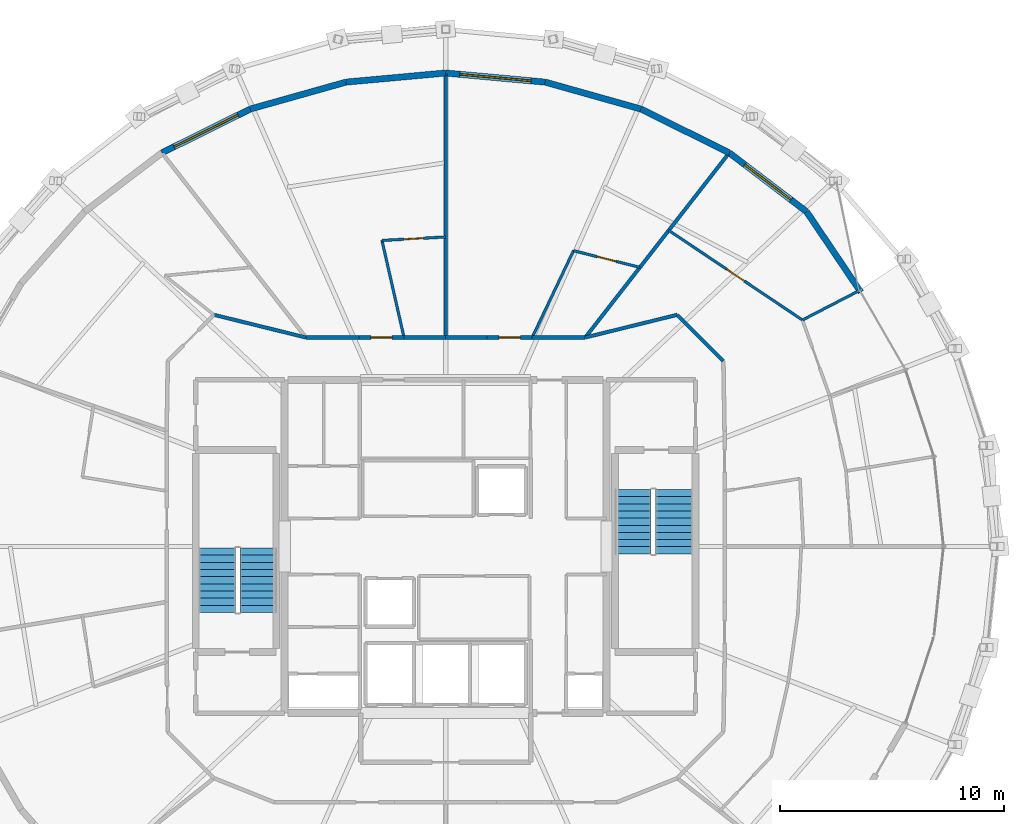
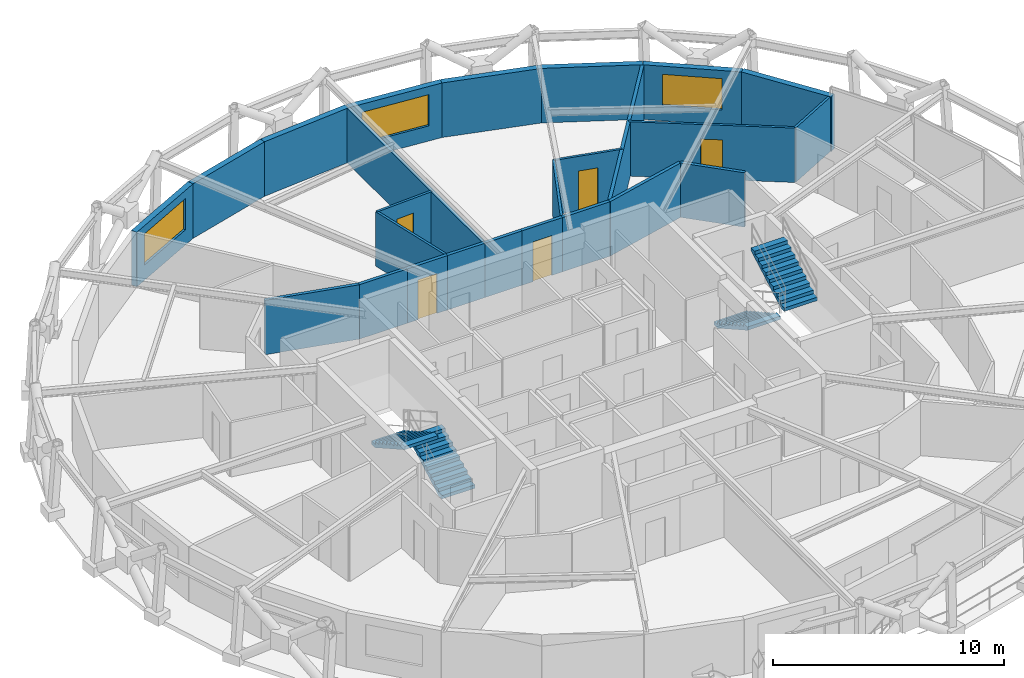
# One storey, part 16 of 17: 25 walls, 5 doors, 4 stair flights, 3 windows, 8 openings, 2 elements without a shape of their own.
"""IFC4 building model written with IfcOpenShell, lengths in metres."""

from ifc_helpers import new_model, si_unit, direction, frame, frame_2d, origin, place, context, subcontext, project, spatial, polyline, rectangle, outline, extrude, material, layer, layer_set, type_object, element, fill, aggregate, save


model = new_model("IFC4")

# Units and contexts
model_context = context("Model", 3, precision=1e-05, world=origin(), true_north=direction((0.0, 1.0)))
body_context = subcontext(model_context, "Body", "Model", "MODEL_VIEW")
ifc_project = project(units=[si_unit("LENGTHUNIT", "METRE"), si_unit("AREAUNIT", "SQUARE_METRE"), si_unit("VOLUMEUNIT", "CUBIC_METRE"), si_unit("PLANEANGLEUNIT", "RADIAN"), si_unit("MASSUNIT", "GRAM", prefix="KILO")], contexts=[model_context])

# Site, building, storey
site_placement = place(None, origin())
site = spatial("IfcSite", under=ifc_project, at=site_placement, CompositionType="ELEMENT")
building_placement = place(site_placement, origin())
building = spatial("IfcBuilding", under=site, at=building_placement, Name="Veldorina Hangang Commons", CompositionType="ELEMENT")
storey_placement = place(building_placement, frame((0.0, 0.0, 225.60009765625)))
storey = spatial("IfcBuildingStorey", under=building, at=storey_placement, Name="L58", CompositionType="ELEMENT", Elevation=225.60009765625)

# Wall
ifc_material_1 = material(Name="Stone Roman Travertine", Category="masonry")
ifc_layer_1 = layer(ifc_material_1, 0.280029296875)
ifc_layer_set_1 = layer_set([ifc_layer_1], Name="Stone Roman Travertine")
wall_type_1 = type_object("IfcWallType", Name="EW-TRAV-280", PredefinedType="STANDARD", material=ifc_layer_set_1)
wall_1_placement = place(storey_placement, frame((50.576904296875, 35.380859375, 0.0), z_axis=(0.0, 0.0, 1.0), x_axis=(-0.559158756737, 0.829060603795, 0.0)))
element("IfcWall", 1, at=wall_1_placement, inside=storey, type_object=wall_type_1, Name="L58 travertine facade wall 03", PredefinedType="STANDARD", context=body_context, shape_type="SweptSolid", body=[
    extrude(rectangle(XDim=4.339111328125, YDim=0.280029296875, at=frame_2d((2.16943359375, 0.0))), origin(), (0.0, 0.0, 1.0), 2.8798828125),
])

# Wall, opening, window
wall_2_placement = place(storey_placement, frame((48.150634765625, 38.978271484375, 0.0), z_axis=(0.0, 0.0, 1.0), x_axis=(-0.795722836513, 0.605660934394, 0.0)))
wall_2 = element("IfcWall", 2, at=wall_2_placement, inside=storey, type_object=wall_type_1, Name="L58 travertine facade wall 04", PredefinedType="STANDARD", context=body_context, shape_type="SweptSolid", body=[
    extrude(rectangle(XDim=4.349365234375, YDim=0.280029296875, at=frame_2d((2.1748046875, 0.0))), origin(), (0.0, 0.0, 1.0), 2.8798828125),
])
opening_1_placement = place(wall_2_placement, frame((0.874755859375, 0.0, 0.800048828125)))
opening_1 = element("IfcOpeningElement", 3, at=opening_1_placement, cuts=wall_2, Name="Opening W-02", PredefinedType="OPENING", context=body_context, shape_type="SweptSolid", body=[
    extrude(rectangle(XDim=2.60009765625, YDim=1.64990234375, at=frame_2d((1.300048828125, 0.824951171875))), frame((0.0, 0.14990234375, 0.0), z_axis=(0.0, -1.0, 0.0), x_axis=(1.0, 0.0, 0.0)), (0.0, 0.0, 1.0), 0.300048828125),
])
ifc_material_2 = material(Name="Glass Low-E Triple IGU", Category="glass")
window_type_1 = type_object("IfcWindowType", Name="WIN-TWR-2600", PartitioningType="SINGLE_PANEL", PredefinedType="WINDOW", material=ifc_material_2)
window_1_placement = place(opening_1_placement, origin())
window_1 = element("IfcWindow", 4, at=window_1_placement, inside=storey, type_object=window_type_1, Name="L58 facade window 04", OverallHeight=1.64990234375, OverallWidth=2.60009765625, PartitioningType="SINGLE_PANEL", PredefinedType="WINDOW", context=body_context, shape_type="SweptSolid", body=[
    extrude(rectangle(XDim=2.60009765625, YDim=1.64990234375, at=frame_2d((1.300048828125, 0.824951171875))), frame((0.0, 0.030029296875, 0.0), z_axis=(0.0, -1.0, 0.0), x_axis=(1.0, 0.0, 0.0)), (0.0, 0.0, 1.0), 0.06005859375),
])
fill(opening_1, window_1)

# Walls
wall_3_placement = place(storey_placement, frame((44.689697265625, 41.612548828125, 0.0), z_axis=(0.0, 0.0, 1.0), x_axis=(-0.89596177971, 0.44413116227, 0.0)))
element("IfcWall", 5, at=wall_3_placement, inside=storey, type_object=wall_type_1, Name="L58 travertine facade wall 05", PredefinedType="STANDARD", context=body_context, shape_type="SweptSolid", body=[
    extrude(rectangle(XDim=4.407470703125, YDim=0.280029296875, at=frame_2d((2.20361328125, 0.0))), origin(), (0.0, 0.0, 1.0), 2.8798828125),
])
wall_4_placement = place(storey_placement, frame((40.74072265625, 43.570068359375, 0.0), z_axis=(0.0, 0.0, 1.0), x_axis=(-0.96263574912, 0.27079958367, 0.0)))
element("IfcWall", 6, at=wall_4_placement, inside=storey, type_object=wall_type_1, Name="L58 travertine facade wall 06", PredefinedType="STANDARD", context=body_context, shape_type="SweptSolid", body=[
    extrude(rectangle(XDim=4.450927734375, YDim=0.280029296875, at=frame_2d((2.2255859375, 0.0))), origin(), (0.0, 0.0, 1.0), 2.8798828125),
])

# Wall, opening, window
wall_5_placement = place(storey_placement, frame((36.4560546875, 44.775390625, 0.0), z_axis=(0.0, 0.0, 1.0), x_axis=(-0.995855104574, 0.090953893235, 0.0)))
wall_5 = element("IfcWall", 7, at=wall_5_placement, inside=storey, type_object=wall_type_1, Name="L58 travertine facade wall 07", PredefinedType="STANDARD", context=body_context, shape_type="SweptSolid", body=[
    extrude(rectangle(XDim=4.474609375, YDim=0.280029296875, at=frame_2d((2.2373046875, 0.0))), origin(), (0.0, 0.0, 1.0), 2.8798828125),
])
opening_2_placement = place(wall_5_placement, frame((0.63720703125, 0.0, 0.800048828125)))
opening_2 = element("IfcOpeningElement", 8, at=opening_2_placement, cuts=wall_5, Name="Opening W-01", PredefinedType="OPENING", context=body_context, shape_type="SweptSolid", body=[
    extrude(rectangle(XDim=3.199951171875, YDim=1.64990234375, at=frame_2d((1.60009765625, 0.824951171875))), frame((0.0, 0.14990234375, 0.0), z_axis=(0.0, -1.0, 0.0), x_axis=(1.0, 0.0, 0.0)), (0.0, 0.0, 1.0), 0.300048828125),
])
window_type_2 = type_object("IfcWindowType", Name="WIN-TWR-3200", PartitioningType="SINGLE_PANEL", PredefinedType="WINDOW", material=ifc_material_2)
window_2_placement = place(opening_2_placement, origin())
window_2 = element("IfcWindow", 9, at=window_2_placement, inside=storey, type_object=window_type_2, Name="L58 facade window 07", OverallHeight=1.64990234375, OverallWidth=3.199951171875, PartitioningType="SINGLE_PANEL", PredefinedType="WINDOW", context=body_context, shape_type="SweptSolid", body=[
    extrude(rectangle(XDim=3.199951171875, YDim=1.64990234375, at=frame_2d((1.60009765625, 0.824951171875))), frame((0.0, 0.030029296875, 0.0), z_axis=(0.0, -1.0, 0.0), x_axis=(1.0, 0.0, 0.0)), (0.0, 0.0, 1.0), 0.06005859375),
])
fill(opening_2, window_2)

# Walls
wall_6_placement = place(storey_placement, frame((32.0, 45.182373046875, 0.0), z_axis=(0.0, 0.0, 1.0), x_axis=(-0.995855104574, -0.090953893235, 0.0)))
element("IfcWall", 10, at=wall_6_placement, inside=storey, type_object=wall_type_1, Name="L58 travertine facade wall 08", PredefinedType="STANDARD", context=body_context, shape_type="SweptSolid", body=[
    extrude(rectangle(XDim=4.474609375, YDim=0.280029296875, at=frame_2d((2.2373046875, 0.0))), origin(), (0.0, 0.0, 1.0), 2.8798828125),
])
wall_7_placement = place(storey_placement, frame((27.5439453125, 44.775390625, 0.0), z_axis=(0.0, 0.0, 1.0), x_axis=(-0.96263574912, -0.27079958367, 0.0)))
element("IfcWall", 11, at=wall_7_placement, inside=storey, type_object=wall_type_1, Name="L58 travertine facade wall 09", PredefinedType="STANDARD", context=body_context, shape_type="SweptSolid", body=[
    extrude(rectangle(XDim=4.450927734375, YDim=0.280029296875, at=frame_2d((2.2255859375, 0.0))), origin(), (0.0, 0.0, 1.0), 2.8798828125),
])

# Wall, opening, window
wall_8_placement = place(storey_placement, frame((23.25927734375, 43.570068359375, 0.0), z_axis=(0.0, 0.0, 1.0), x_axis=(-0.89596177971, -0.44413116227, 0.0)))
wall_8 = element("IfcWall", 12, at=wall_8_placement, inside=storey, type_object=wall_type_1, Name="L58 travertine facade wall 10", PredefinedType="STANDARD", context=body_context, shape_type="SweptSolid", body=[
    extrude(rectangle(XDim=4.407470703125, YDim=0.280029296875, at=frame_2d((2.20361328125, 0.0))), origin(), (0.0, 0.0, 1.0), 2.8798828125),
])
opening_3_placement = place(wall_8_placement, frame((0.603759765625, 0.0, 0.800048828125)))
opening_3 = element("IfcOpeningElement", 13, at=opening_3_placement, cuts=wall_8, Name="Opening W-01", PredefinedType="OPENING", context=body_context, shape_type="SweptSolid", body=[
    extrude(rectangle(XDim=3.199951171875, YDim=1.64990234375, at=frame_2d((1.60009765625, 0.824951171875))), frame((0.0, 0.14990234375, 0.0), z_axis=(0.0, -1.0, 0.0), x_axis=(1.0, 0.0, 0.0)), (0.0, 0.0, 1.0), 0.300048828125),
])
window_3_placement = place(opening_3_placement, origin())
window_3 = element("IfcWindow", 14, at=window_3_placement, inside=storey, type_object=window_type_2, Name="L58 facade window 10", OverallHeight=1.64990234375, OverallWidth=3.199951171875, PartitioningType="SINGLE_PANEL", PredefinedType="WINDOW", context=body_context, shape_type="SweptSolid", body=[
    extrude(rectangle(XDim=3.199951171875, YDim=1.64990234375, at=frame_2d((1.60009765625, 0.824951171875))), frame((0.0, 0.030029296875, 0.0), z_axis=(0.0, -1.0, 0.0), x_axis=(1.0, 0.0, 0.0)), (0.0, 0.0, 1.0), 0.06005859375),
])
fill(opening_3, window_3)

# Walls
ifc_material_3 = material(Name="Gypsum Fire-Rated Twin Stud Wall", Category="gypsum")
ifc_layer_2 = layer(ifc_material_3, 0.159912109375)
ifc_layer_set_2 = layer_set([ifc_layer_2], Name="Gypsum Fire-Rated Twin Stud Wall")
wall_type_2 = type_object("IfcWallType", Name="WL-FIRE-160", PredefinedType="SOLIDWALL", material=ifc_layer_set_2)
wall_9_placement = place(storey_placement, frame((44.4267578125, 32.30322265625, 0.0), z_axis=(0.0, 0.0, 1.0), x_axis=(-0.707106781187, 0.707106781187, 0.0)))
element("IfcWall", 15, at=wall_9_placement, inside=storey, type_object=wall_type_2, Name="L58 Compact collar outer wall 03 057", PredefinedType="SOLIDWALL", context=body_context, shape_type="SweptSolid", body=[
    extrude(rectangle(XDim=2.915771484375, YDim=0.159912109375, at=frame_2d((1.4580078125, 0.0))), origin(), (0.0, 0.0, 1.0), 2.869873046875),
])
wall_10_placement = place(storey_placement, frame((42.364990234375, 34.364990234375, 0.0), z_axis=(0.0, 0.0, 1.0), x_axis=(-0.970939799552, -0.239323850978, 0.0)))
element("IfcWall", 16, at=wall_10_placement, inside=storey, type_object=wall_type_2, Name="L58 Compact collar outer wall 04 058", PredefinedType="SOLIDWALL", context=body_context, shape_type="SweptSolid", body=[
    extrude(rectangle(XDim=4.24072265625, YDim=0.159912109375, at=frame_2d((2.120361328125, 0.0))), origin(), (0.0, 0.0, 1.0), 2.869873046875),
])
wall_11_placement = place(storey_placement, frame((38.24755859375, 33.35009765625, 0.0), z_axis=(0.0, 0.0, 1.0), x_axis=(-1.0, 0.0, 0.0)))
element("IfcWall", 17, at=wall_11_placement, inside=storey, type_object=wall_type_2, Name="L58 Compact collar outer wall 05 059", PredefinedType="SOLIDWALL", context=body_context, shape_type="SweptSolid", body=[
    extrude(rectangle(XDim=2.374755859375, YDim=0.159912109375, at=frame_2d((1.1875, 0.0))), origin(), (0.0, 0.0, 1.0), 2.869873046875),
])

# Wall, opening, door
wall_12_placement = place(storey_placement, frame((35.872802734375, 33.35009765625, 0.0), z_axis=(0.0, 0.0, 1.0), x_axis=(-1.0, 0.0, 0.0)))
wall_12 = element("IfcWall", 18, at=wall_12_placement, inside=storey, type_object=wall_type_2, Name="L58 Compact collar outer wall 06 060", PredefinedType="SOLIDWALL", context=body_context, shape_type="SweptSolid", body=[
    extrude(rectangle(XDim=2.012939453125, YDim=0.159912109375, at=frame_2d((1.00634765625, 0.0))), origin(), (0.0, 0.0, 1.0), 2.869873046875),
])
opening_4_placement = place(wall_12_placement, frame((0.531494140625, 0.0, 0.0)))
opening_4 = element("IfcOpeningElement", 19, at=opening_4_placement, cuts=wall_12, Name="Opening D-03", PredefinedType="OPENING", context=body_context, shape_type="SweptSolid", body=[
    extrude(rectangle(XDim=0.949951171875, YDim=2.10009765625, at=frame_2d((0.47509765625, 1.050048828125))), frame((0.0, 0.08984375, 0.0), z_axis=(0.0, -1.0, 0.0), x_axis=(1.0, 0.0, 0.0)), (0.0, 0.0, 1.0), 0.179931640625),
])
ifc_material_4 = material(Name="Timber Fire-Rated Entrance Core", Category="wood")
door_type_1 = type_object("IfcDoorType", Name="DR-UNIT-950", OperationType="SINGLE_SWING_RIGHT", PredefinedType="DOOR", material=ifc_material_4)
door_1_placement = place(opening_4_placement, origin())
door_1 = element("IfcDoor", 20, at=door_1_placement, inside=storey, type_object=door_type_1, Name="L58 Studio 3 entrance door 033", OperationType="SINGLE_SWING_LEFT", OverallHeight=2.10009765625, OverallWidth=0.949951171875, PredefinedType="DOOR", context=body_context, shape_type="SweptSolid", body=[
    extrude(rectangle(XDim=0.949951171875, YDim=2.10009765625, at=frame_2d((0.47509765625, 1.050048828125))), frame((0.0, 0.02490234375, 0.0), z_axis=(0.0, -1.0, 0.0), x_axis=(1.0, 0.0, 0.0)), (0.0, 0.0, 1.0), 0.050048828125),
])
fill(opening_4, door_1)

# Walls
for number, where, z_axis, x_axis, name in (
    (21, (33.85986328125, 33.35009765625, 0.0), (0.0, 0.0, 1.0), (-1.0, 0.0, 0.0), "L58 Compact collar outer wall 07 061"),
    (22, (32.0, 33.35009765625, 0.0), (0.0, 0.0, 1.0), (-1.0, 0.0, 0.0), "L58 Compact collar outer wall 08 062"),
):
    element("IfcWall", number, at=place(storey_placement, frame(where, z_axis=z_axis, x_axis=x_axis)), inside=storey, type_object=wall_type_2, Name=name, PredefinedType="SOLIDWALL", context=body_context, shape_type="SweptSolid", body=[
        extrude(rectangle(XDim=1.85986328125, YDim=0.159912109375, at=frame_2d((0.929931640625, 0.0))), origin(), (0.0, 0.0, 1.0), 2.869873046875),
    ])

# Wall, opening, door
wall_13_placement = place(storey_placement, frame((30.14013671875, 33.35009765625, 0.0), z_axis=(0.0, 0.0, 1.0), x_axis=(-1.0, 0.0, 0.0)))
wall_13 = element("IfcWall", 23, at=wall_13_placement, inside=storey, type_object=wall_type_2, Name="L58 Compact collar outer wall 09 063", PredefinedType="SOLIDWALL", context=body_context, shape_type="SweptSolid", body=[
    extrude(rectangle(XDim=2.012939453125, YDim=0.159912109375, at=frame_2d((1.00634765625, 0.0))), origin(), (0.0, 0.0, 1.0), 2.869873046875),
])
opening_5_placement = place(wall_13_placement, frame((0.531494140625, 0.0, 0.0)))
opening_5 = element("IfcOpeningElement", 24, at=opening_5_placement, cuts=wall_13, Name="Opening D-03", PredefinedType="OPENING", context=body_context, shape_type="SweptSolid", body=[
    extrude(rectangle(XDim=0.949951171875, YDim=2.10009765625, at=frame_2d((0.47509765625, 1.050048828125))), frame((0.0, 0.08984375, 0.0), z_axis=(0.0, -1.0, 0.0), x_axis=(1.0, 0.0, 0.0)), (0.0, 0.0, 1.0), 0.179931640625),
])
door_2_placement = place(opening_5_placement, origin())
door_2 = element("IfcDoor", 25, at=door_2_placement, inside=storey, type_object=door_type_1, Name="L58 Studio 4 entrance door 035", OperationType="SINGLE_SWING_LEFT", OverallHeight=2.10009765625, OverallWidth=0.949951171875, PredefinedType="DOOR", context=body_context, shape_type="SweptSolid", body=[
    extrude(rectangle(XDim=0.949951171875, YDim=2.10009765625, at=frame_2d((0.47509765625, 1.050048828125))), frame((0.0, 0.02490234375, 0.0), z_axis=(0.0, -1.0, 0.0), x_axis=(1.0, 0.0, 0.0)), (0.0, 0.0, 1.0), 0.050048828125),
])
fill(opening_5, door_2)

# Walls
wall_14_placement = place(storey_placement, frame((28.127197265625, 33.35009765625, 0.0), z_axis=(0.0, 0.0, 1.0), x_axis=(-1.0, 0.0, 0.0)))
element("IfcWall", 26, at=wall_14_placement, inside=storey, type_object=wall_type_2, Name="L58 Compact collar outer wall 10 064", PredefinedType="SOLIDWALL", context=body_context, shape_type="SweptSolid", body=[
    extrude(rectangle(XDim=2.374755859375, YDim=0.159912109375, at=frame_2d((1.1875, 0.0))), origin(), (0.0, 0.0, 1.0), 2.869873046875),
])
wall_15_placement = place(storey_placement, frame((25.75244140625, 33.35009765625, 0.0), z_axis=(0.0, 0.0, 1.0), x_axis=(-0.970939799552, 0.239323850978, 0.0)))
element("IfcWall", 27, at=wall_15_placement, inside=storey, type_object=wall_type_2, Name="L58 Compact collar outer wall 11 065", PredefinedType="SOLIDWALL", context=body_context, shape_type="SweptSolid", body=[
    extrude(rectangle(XDim=4.24072265625, YDim=0.159912109375, at=frame_2d((2.120361328125, 0.0))), origin(), (0.0, 0.0, 1.0), 2.869873046875),
])
wall_16_placement = place(storey_placement, frame((38.24755859375, 33.35009765625, 0.0), z_axis=(0.0, 0.0, 1.0), x_axis=(0.614883592215, 0.788617884672, 0.0)))
element("IfcWall", 28, at=wall_16_placement, inside=storey, type_object=wall_type_2, Name="L58 Unit party wall 05 101", PredefinedType="SOLIDWALL", context=body_context, shape_type="SweptSolid", body=[
    extrude(rectangle(XDim=10.427001953125, YDim=0.159912109375, at=frame_2d((5.21337890625, 0.0))), origin(), (0.0, 0.0, 1.0), 2.869873046875),
])
wall_17_placement = place(storey_placement, frame((32.0, 33.35009765625, 0.0), z_axis=(0.0, 0.0, 1.0), x_axis=(0.0, 1.0, 0.0)))
element("IfcWall", 29, at=wall_17_placement, inside=storey, type_object=wall_type_2, Name="L58 Unit party wall 08 104", PredefinedType="SOLIDWALL", context=body_context, shape_type="SweptSolid", body=[
    extrude(rectangle(XDim=11.7822265625, YDim=0.159912109375, at=frame_2d((5.89111328125, 0.0))), origin(), (0.0, 0.0, 1.0), 2.869873046875),
])

# Wall, opening, door
ifc_material_5 = material(Name="Gypsum Acoustic Stud Partition", Category="gypsum")
ifc_layer_3 = layer(ifc_material_5, 0.1201171875)
ifc_layer_set_3 = layer_set([ifc_layer_3], Name="Gypsum Acoustic Stud Partition")
wall_type_3 = type_object("IfcWallType", Name="WL-PART-120", PredefinedType="PARTITIONING", material=ifc_layer_set_3)
wall_18_placement = place(storey_placement, frame((47.964111328125, 34.132568359375, 0.0), z_axis=(0.0, 0.0, 1.0), x_axis=(-0.830591967255, 0.556881481046, 0.0)))
wall_18 = element("IfcWall", 30, at=wall_18_placement, inside=storey, type_object=wall_type_3, Name="L58 Cluster 2 bed 4 front wall 099", PredefinedType="PARTITIONING", context=body_context, shape_type="SweptSolid", body=[
    extrude(rectangle(XDim=7.199951171875, YDim=0.1201171875, at=frame_2d((3.60009765625, 0.0))), origin(), (0.0, 0.0, 1.0), 2.869873046875),
])
opening_6_placement = place(wall_18_placement, frame((3.125, 0.0, 0.0)))
opening_6 = element("IfcOpeningElement", 31, at=opening_6_placement, cuts=wall_18, Name="Opening D-02", PredefinedType="OPENING", context=body_context, shape_type="SweptSolid", body=[
    extrude(rectangle(XDim=0.949951171875, YDim=2.10009765625, at=frame_2d((0.47509765625, 1.050048828125))), frame((0.0, 0.070068359375, 0.0), z_axis=(0.0, -1.0, 0.0), x_axis=(1.0, 0.0, 0.0)), (0.0, 0.0, 1.0), 0.14013671875),
])
ifc_material_6 = material(Name="Timber Solid Core Acoustic", Category="wood")
door_type_2 = type_object("IfcDoorType", Name="DR-INT-950", OperationType="SINGLE_SWING_LEFT", PredefinedType="DOOR", material=ifc_material_6)
door_3_placement = place(opening_6_placement, origin())
door_3 = element("IfcDoor", 32, at=door_3_placement, inside=storey, type_object=door_type_2, Name="L58 Cluster 2 bed 4 door 031", OperationType="SINGLE_SWING_LEFT", OverallHeight=2.10009765625, OverallWidth=0.949951171875, PredefinedType="DOOR", context=body_context, shape_type="SweptSolid", body=[
    extrude(rectangle(XDim=0.949951171875, YDim=2.10009765625, at=frame_2d((0.47509765625, 1.050048828125))), frame((0.0, 0.02490234375, 0.0), z_axis=(0.0, -1.0, 0.0), x_axis=(1.0, 0.0, 0.0)), (0.0, 0.0, 1.0), 0.050048828125),
])
fill(opening_6, door_3)

# Wall
wall_19_placement = place(storey_placement, frame((47.964111328125, 34.132568359375, 0.0), z_axis=(0.0, 0.0, 1.0), x_axis=(0.888279464534, 0.459303377831, 0.0)))
element("IfcWall", 33, at=wall_19_placement, inside=storey, type_object=wall_type_3, Name="L58 Cluster 2 bed divider 3 100", PredefinedType="PARTITIONING", context=body_context, shape_type="SweptSolid", body=[
    extrude(rectangle(XDim=2.833740234375, YDim=0.1201171875, at=frame_2d((1.4169921875, 0.0))), origin(), (0.0, 0.0, 1.0), 2.869873046875),
])

# Wall, opening, door
wall_20_placement = place(storey_placement, frame((40.695556640625, 36.48974609375, 0.0), z_axis=(0.0, 0.0, 1.0), x_axis=(-0.970090929749, 0.242741813496, 0.0)))
wall_20 = element("IfcWall", 34, at=wall_20_placement, inside=storey, type_object=wall_type_3, Name="L58 Studio 3 bath front wall 102", PredefinedType="PARTITIONING", context=body_context, shape_type="SweptSolid", body=[
    extrude(rectangle(XDim=3.064453125, YDim=0.1201171875, at=frame_2d((1.5322265625, 0.0))), origin(), (0.0, 0.0, 1.0), 2.869873046875),
])
opening_7_placement = place(wall_20_placement, frame((1.102294921875, 0.0, 0.0)))
opening_7 = element("IfcOpeningElement", 35, at=opening_7_placement, cuts=wall_20, Name="Opening D-01", PredefinedType="OPENING", context=body_context, shape_type="SweptSolid", body=[
    extrude(rectangle(XDim=0.860107421875, YDim=2.10009765625, at=frame_2d((0.43017578125, 1.050048828125))), frame((0.0, 0.070068359375, 0.0), z_axis=(0.0, -1.0, 0.0), x_axis=(1.0, 0.0, 0.0)), (0.0, 0.0, 1.0), 0.14013671875),
])
ifc_material_7 = material(Name="Timber Moisture-Resistant Core", Category="wood")
door_type_3 = type_object("IfcDoorType", Name="DR-WET-860", OperationType="SINGLE_SWING_LEFT", PredefinedType="DOOR", material=ifc_material_7)
door_4_placement = place(opening_7_placement, origin())
door_4 = element("IfcDoor", 36, at=door_4_placement, inside=storey, type_object=door_type_3, Name="L58 Studio 3 bathroom door 032", OperationType="SINGLE_SWING_RIGHT", OverallHeight=2.10009765625, OverallWidth=0.860107421875, PredefinedType="DOOR", context=body_context, shape_type="SweptSolid", body=[
    extrude(rectangle(XDim=0.860107421875, YDim=2.10009765625, at=frame_2d((0.43017578125, 1.050048828125))), frame((0.0, 0.02490234375, 0.0), z_axis=(0.0, -1.0, 0.0), x_axis=(1.0, 0.0, 0.0)), (0.0, 0.0, 1.0), 0.050048828125),
])
fill(opening_7, door_4)

# Wall
wall_21_placement = place(storey_placement, frame((35.872802734375, 33.35009765625, 0.0), z_axis=(0.0, 0.0, 1.0), x_axis=(0.430037122425, 0.90281120581, 0.0)))
element("IfcWall", 37, at=wall_21_placement, inside=storey, type_object=wall_type_3, Name="L58 Studio 3 bath side wall 103", PredefinedType="PARTITIONING", context=body_context, shape_type="SweptSolid", body=[
    extrude(rectangle(XDim=4.301513671875, YDim=0.1201171875, at=frame_2d((2.15087890625, 0.0))), origin(), (0.0, 0.0, 1.0), 2.869873046875),
])

# Wall, opening, door
wall_22_placement = place(storey_placement, frame((32.0, 37.84619140625, 0.0), z_axis=(0.0, 0.0, 1.0), x_axis=(-0.998529395185, -0.054212977713, 0.0)))
wall_22 = element("IfcWall", 38, at=wall_22_placement, inside=storey, type_object=wall_type_3, Name="L58 Studio 4 bath front wall 105", PredefinedType="PARTITIONING", context=body_context, shape_type="SweptSolid", body=[
    extrude(rectangle(XDim=2.8505859375, YDim=0.1201171875, at=frame_2d((1.42529296875, 0.0))), origin(), (0.0, 0.0, 1.0), 2.869873046875),
])
opening_8_placement = place(wall_22_placement, frame((0.995361328125, 0.0, 0.0)))
opening_8 = element("IfcOpeningElement", 39, at=opening_8_placement, cuts=wall_22, Name="Opening D-01", PredefinedType="OPENING", context=body_context, shape_type="SweptSolid", body=[
    extrude(rectangle(XDim=0.860107421875, YDim=2.10009765625, at=frame_2d((0.43017578125, 1.050048828125))), frame((0.0, 0.070068359375, 0.0), z_axis=(0.0, -1.0, 0.0), x_axis=(1.0, 0.0, 0.0)), (0.0, 0.0, 1.0), 0.14013671875),
])
door_5_placement = place(opening_8_placement, origin())
door_5 = element("IfcDoor", 40, at=door_5_placement, inside=storey, type_object=door_type_3, Name="L58 Studio 4 bathroom door 034", OperationType="SINGLE_SWING_RIGHT", OverallHeight=2.10009765625, OverallWidth=0.860107421875, PredefinedType="DOOR", context=body_context, shape_type="SweptSolid", body=[
    extrude(rectangle(XDim=0.860107421875, YDim=2.10009765625, at=frame_2d((0.43017578125, 1.050048828125))), frame((0.0, 0.02490234375, 0.0), z_axis=(0.0, -1.0, 0.0), x_axis=(1.0, 0.0, 0.0)), (0.0, 0.0, 1.0), 0.050048828125),
])
fill(opening_8, door_5)

# Wall
wall_23_placement = place(storey_placement, frame((30.14013671875, 33.35009765625, 0.0), z_axis=(0.0, 0.0, 1.0), x_axis=(-0.221590292171, 0.975139857875, 0.0)))
element("IfcWall", 41, at=wall_23_placement, inside=storey, type_object=wall_type_3, Name="L58 Studio 4 bath side wall 106", PredefinedType="PARTITIONING", context=body_context, shape_type="SweptSolid", body=[
    extrude(rectangle(XDim=4.4521484375, YDim=0.1201171875, at=frame_2d((2.22607421875, 0.0))), origin(), (0.0, 0.0, 1.0), 2.869873046875),
])

# Stair, stair flights
ifc_material_8 = material(Name="Concrete C40/50", Category="concrete")
stair_type = type_object("IfcStairType", Name="STR-DOG-1650-20R", PredefinedType="HALF_TURN_STAIR", material=ifc_material_8)
stair_1_placement = place(storey_placement, origin())
stair_1 = element("IfcStair", 42, at=stair_1_placement, inside=storey, type_object=stair_type, Name="L58 Exit stair ST-1", PredefinedType="HALF_TURN_STAIR")
stair_flight_type = type_object("IfcStairFlightType", Name="SFL-STR-1650-20R", PredefinedType="STRAIGHT", material=ifc_material_8)
stair_flight_1_placement = place(storey_placement, frame((23.625, 21.050048828125, 0.0), z_axis=(0.0, 0.0, 1.0), x_axis=(0.0, 1.0, 0.0)))
stair_flight_1 = element("IfcStairFlight", 43, at=stair_flight_1_placement, type_object=stair_flight_type, Name="ST-1 flight 1", NumberOfRisers=10, NumberOfTreads=9, PredefinedType="STRAIGHT", RiserHeight=0.18, TreadLength=0.32, context=body_context, shape_type="SweptSolid", body=[
    extrude(outline(polyline([(0.0, 0.0), (0.0, 0.179931640625), (0.320068359375, 0.179931640625), (0.320068359375, 0.360107421875), (0.639892578125, 0.360107421875), (0.639892578125, 0.5400390625), (0.9599609375, 0.5400390625), (0.9599609375, 0.719970703125), (1.280029296875, 0.719970703125), (1.280029296875, 0.89990234375), (1.60009765625, 0.89990234375), (1.60009765625, 1.080078125), (1.919921875, 1.080078125), (1.919921875, 1.260009765625), (2.239990234375, 1.260009765625), (2.239990234375, 1.43994140625), (2.56005859375, 1.43994140625), (2.56005859375, 1.6201171875), (2.8798828125, 1.6201171875), (2.8798828125, 1.800048828125), (2.8798828125, 1.447998046875), (0.3056640625, 0.0), (0.0, 0.0)])), frame((0.0, 0.824951171875, 0.0), z_axis=(0.0, -1.0, 0.0), x_axis=(1.0, 0.0, 0.0)), (0.0, 0.0, 1.0), 1.64990234375),
])
stair_flight_2_placement = place(storey_placement, frame((21.77490234375, 23.929931640625, 1.7998046875), z_axis=(0.0, 0.0, 1.0), x_axis=(0.0, -1.0, 0.0)))
stair_flight_2 = element("IfcStairFlight", 44, at=stair_flight_2_placement, type_object=stair_flight_type, Name="ST-1 flight 2", NumberOfRisers=10, NumberOfTreads=9, PredefinedType="STRAIGHT", RiserHeight=0.18, TreadLength=0.32, context=body_context, shape_type="SweptSolid", body=[
    extrude(outline(polyline([(0.0, 0.0), (0.0, 0.179931640625), (0.320068359375, 0.179931640625), (0.320068359375, 0.360107421875), (0.639892578125, 0.360107421875), (0.639892578125, 0.5400390625), (0.9599609375, 0.5400390625), (0.9599609375, 0.719970703125), (1.280029296875, 0.719970703125), (1.280029296875, 0.89990234375), (1.60009765625, 0.89990234375), (1.60009765625, 1.080078125), (1.919921875, 1.080078125), (1.919921875, 1.260009765625), (2.239990234375, 1.260009765625), (2.239990234375, 1.43994140625), (2.56005859375, 1.43994140625), (2.56005859375, 1.6201171875), (2.8798828125, 1.6201171875), (2.8798828125, 1.800048828125), (2.8798828125, 1.447998046875), (0.3056640625, 0.0), (0.0, 0.0)])), frame((0.0, 0.824951171875, 0.0), z_axis=(0.0, -1.0, 0.0), x_axis=(1.0, 0.0, 0.0)), (0.0, 0.0, 1.0), 1.64990234375),
])
aggregate(stair_1, [stair_flight_1, stair_flight_2])

stair_2_placement = place(storey_placement, origin())
stair_2 = element("IfcStair", 45, at=stair_2_placement, inside=storey, type_object=stair_type, Name="L58 Exit stair ST-2", PredefinedType="HALF_TURN_STAIR")
stair_flight_3_placement = place(storey_placement, frame((40.375, 26.550048828125, 0.0), z_axis=(0.0, 0.0, 1.0), x_axis=(0.0, -1.0, 0.0)))
stair_flight_3 = element("IfcStairFlight", 46, at=stair_flight_3_placement, type_object=stair_flight_type, Name="ST-2 flight 1", NumberOfRisers=10, NumberOfTreads=9, PredefinedType="STRAIGHT", RiserHeight=0.18, TreadLength=0.32, context=body_context, shape_type="SweptSolid", body=[
    extrude(outline(polyline([(0.0, 0.0), (0.0, 0.179931640625), (0.320068359375, 0.179931640625), (0.320068359375, 0.360107421875), (0.639892578125, 0.360107421875), (0.639892578125, 0.5400390625), (0.9599609375, 0.5400390625), (0.9599609375, 0.719970703125), (1.280029296875, 0.719970703125), (1.280029296875, 0.89990234375), (1.60009765625, 0.89990234375), (1.60009765625, 1.080078125), (1.919921875, 1.080078125), (1.919921875, 1.260009765625), (2.239990234375, 1.260009765625), (2.239990234375, 1.43994140625), (2.56005859375, 1.43994140625), (2.56005859375, 1.6201171875), (2.8798828125, 1.6201171875), (2.8798828125, 1.800048828125), (2.8798828125, 1.447998046875), (0.3056640625, 0.0), (0.0, 0.0)])), frame((0.0, 0.824951171875, 0.0), z_axis=(0.0, -1.0, 0.0), x_axis=(1.0, 0.0, 0.0)), (0.0, 0.0, 1.0), 1.64990234375),
])
stair_flight_4_placement = place(storey_placement, frame((42.22509765625, 23.669921875, 1.7998046875), z_axis=(0.0, 0.0, 1.0), x_axis=(0.0, 1.0, 0.0)))
stair_flight_4 = element("IfcStairFlight", 47, at=stair_flight_4_placement, type_object=stair_flight_type, Name="ST-2 flight 2", NumberOfRisers=10, NumberOfTreads=9, PredefinedType="STRAIGHT", RiserHeight=0.18, TreadLength=0.32, context=body_context, shape_type="SweptSolid", body=[
    extrude(outline(polyline([(0.0, 0.0), (0.0, 0.179931640625), (0.320068359375, 0.179931640625), (0.320068359375, 0.360107421875), (0.639892578125, 0.360107421875), (0.639892578125, 0.5400390625), (0.9599609375, 0.5400390625), (0.9599609375, 0.719970703125), (1.280029296875, 0.719970703125), (1.280029296875, 0.89990234375), (1.60009765625, 0.89990234375), (1.60009765625, 1.080078125), (1.919921875, 1.080078125), (1.919921875, 1.260009765625), (2.239990234375, 1.260009765625), (2.239990234375, 1.43994140625), (2.56005859375, 1.43994140625), (2.56005859375, 1.6201171875), (2.8798828125, 1.6201171875), (2.8798828125, 1.800048828125), (2.8798828125, 1.447998046875), (0.3056640625, 0.0), (0.0, 0.0)])), frame((0.0, 0.824951171875, 0.0), z_axis=(0.0, -1.0, 0.0), x_axis=(1.0, 0.0, 0.0)), (0.0, 0.0, 1.0), 1.64990234375),
])
aggregate(stair_2, [stair_flight_3, stair_flight_4])

save(model, "model.ifc")
